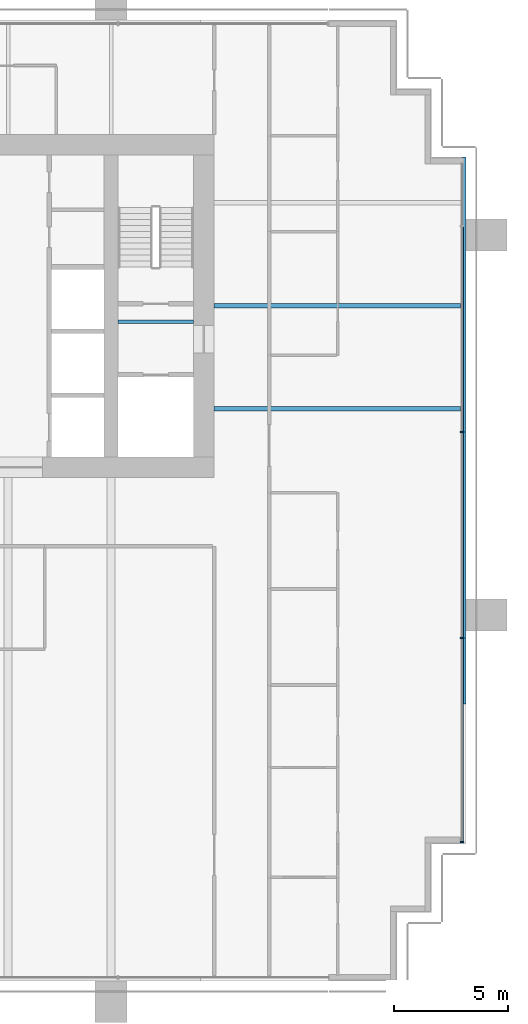
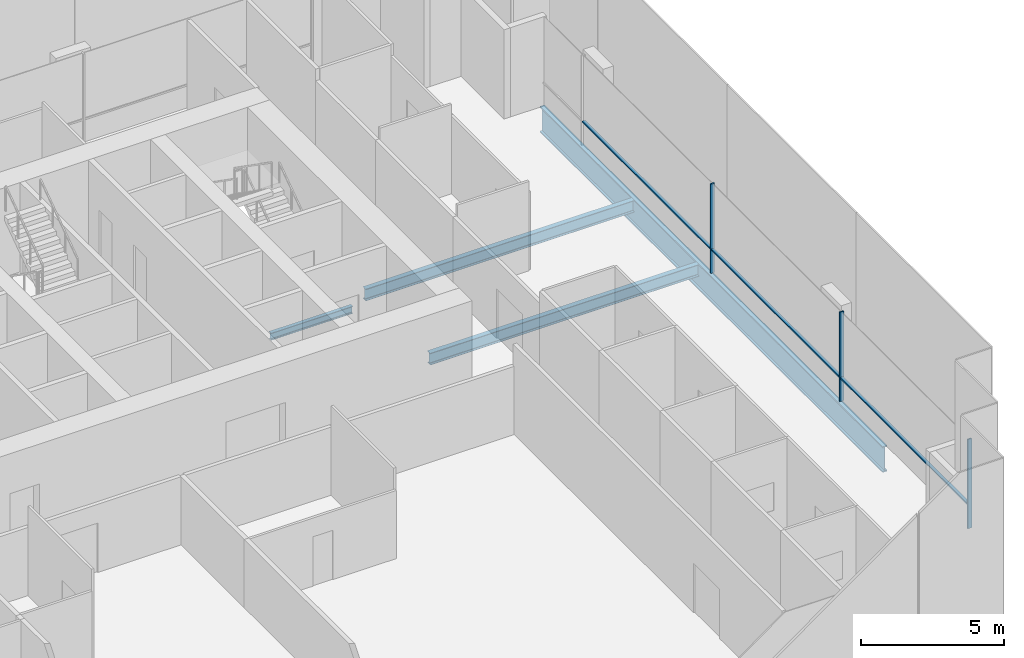
# One storey, part 6 of 17: 6 members, 4 beams, 1 element without a shape of its own.
"""IFC4 building model written with IfcOpenShell, lengths in metres."""

from ifc_helpers import new_model, si_unit, direction, frame, origin, origin_2d, place, context, subcontext, project, spatial, rectangle, i_section, extrude, material, material_profile, profile_set, type_object, element, aggregate, save


model = new_model("IFC4")

# Units and contexts
model_context = context("Model", 3, precision=1e-05, world=origin(), true_north=direction((0.0, 1.0)))
body_context = subcontext(model_context, "Body", "Model", "MODEL_VIEW")
ifc_project = project(units=[si_unit("LENGTHUNIT", "METRE"), si_unit("AREAUNIT", "SQUARE_METRE"), si_unit("VOLUMEUNIT", "CUBIC_METRE"), si_unit("PLANEANGLEUNIT", "RADIAN"), si_unit("MASSUNIT", "GRAM", prefix="KILO")], contexts=[model_context])

# Site, building, storey
site_placement = place(None, origin())
site = spatial("IfcSite", under=ifc_project, at=site_placement, CompositionType="ELEMENT")
building_placement = place(site_placement, origin())
building = spatial("IfcBuilding", under=site, at=building_placement, Name="Rattan Terrace Tower", CompositionType="ELEMENT")
storey_placement = place(building_placement, frame((0.0, 0.0, 138.10009765625)))
storey = spatial("IfcBuildingStorey", under=building, at=storey_placement, Name="L31", CompositionType="ELEMENT", Elevation=138.10009765625)

# Curtain wall, members
ifc_material_1 = material(Name="Aluminium and glass", Category="aluminium")
curtain_wall_type = type_object("IfcCurtainWallType", Name="Facade Unitised Curtain Wall", PredefinedType="NOTDEFINED", material=ifc_material_1)
curtain_wall_placement = place(storey_placement, origin())
curtain_wall = element("IfcCurtainWall", 1, at=curtain_wall_placement, inside=storey, type_object=curtain_wall_type, Name="Curtain wall L31-1", PredefinedType="NOTDEFINED")
ifc_material_2 = material(Name="Aluminium", Category="aluminium")
ifc_material_profile_1 = material_profile(ifc_material_2, rectangle(XDim=0.06005859375, YDim=0.159912109375, at=origin_2d()), Name="Aluminium 60x160")
ifc_profile_set_1 = profile_set([ifc_material_profile_1], Name="Aluminium")
member_type_1 = type_object("IfcMemberType", Name="Facade CW Mullion 60x160", PredefinedType="MULLION", material=ifc_profile_set_1)
member_1_placement = place(storey_placement, frame((28.830078125, -23.425048828125, 0.0), z_axis=(0.0, 0.0, 1.0), x_axis=(0.0, 1.0, 0.0)))
member_1 = element("IfcMember", 2, at=member_1_placement, type_object=member_type_1, Name="Mullion cwl-L31-001.1", PredefinedType="MULLION", context=body_context, shape_type="SweptSolid", body=[
    extrude(rectangle(XDim=0.06005859375, YDim=0.159912109375, at=origin_2d()), origin(), (0.0, 0.0, 1.0), 3.7998046875),
])
member_2_placement = place(storey_placement, frame((28.830078125, -14.5, 0.0), z_axis=(0.0, 0.0, 1.0), x_axis=(0.0, 1.0, 0.0)))
member_2 = element("IfcMember", 3, at=member_2_placement, type_object=member_type_1, Name="Mullion cwl-L31-001.2", PredefinedType="MULLION", context=body_context, shape_type="SweptSolid", body=[
    extrude(rectangle(XDim=0.06005859375, YDim=0.159912109375, at=origin_2d()), origin(), (0.0, 0.0, 1.0), 3.7998046875),
])
member_3_placement = place(storey_placement, frame((28.830078125, -5.5, 0.0), z_axis=(0.0, 0.0, 1.0), x_axis=(0.0, 1.0, 0.0)))
member_3 = element("IfcMember", 4, at=member_3_placement, type_object=member_type_1, Name="Mullion cwl-L31-001.3", PredefinedType="MULLION", context=body_context, shape_type="SweptSolid", body=[
    extrude(rectangle(XDim=0.06005859375, YDim=0.159912109375, at=origin_2d()), origin(), (0.0, 0.0, 1.0), 3.7998046875),
])
ifc_material_3 = material(Name="Aluminium", Category="aluminium")
ifc_material_profile_2 = material_profile(ifc_material_3, rectangle(XDim=0.1201171875, YDim=0.06005859375, at=origin_2d()), Name="Aluminium 120x60")
ifc_profile_set_2 = profile_set([ifc_material_profile_2], Name="Aluminium")
member_type_2 = type_object("IfcMemberType", Name="Facade CW Transom 120x60", PredefinedType="USERDEFINED", material=ifc_profile_set_2)
member_4_placement = place(storey_placement, frame((28.830078125, -23.39501953125, 1.0), z_axis=(0.0, 1.0, 0.0), x_axis=(-1.0, 0.0, 0.0)))
member_4 = element("IfcMember", 5, at=member_4_placement, type_object=member_type_2, Name="Transom cwl-L31-001.1", ObjectType="TRANSOM", PredefinedType="USERDEFINED", context=body_context, shape_type="SweptSolid", body=[
    extrude(rectangle(XDim=0.1201171875, YDim=0.06005859375, at=origin_2d()), origin(), (0.0, 0.0, 1.0), 8.864990234375),
])
member_5_placement = place(storey_placement, frame((28.830078125, -14.469970703125, 1.0), z_axis=(0.0, 1.0, 0.0), x_axis=(-1.0, 0.0, 0.0)))
member_5 = element("IfcMember", 6, at=member_5_placement, type_object=member_type_2, Name="Transom cwl-L31-001.2", ObjectType="TRANSOM", PredefinedType="USERDEFINED", context=body_context, shape_type="SweptSolid", body=[
    extrude(rectangle(XDim=0.1201171875, YDim=0.06005859375, at=origin_2d()), origin(), (0.0, 0.0, 1.0), 8.93994140625),
])
member_6_placement = place(storey_placement, frame((28.830078125, -5.469970703125, 1.0), z_axis=(0.0, 1.0, 0.0), x_axis=(-1.0, 0.0, 0.0)))
member_6 = element("IfcMember", 7, at=member_6_placement, type_object=member_type_2, Name="Transom cwl-L31-001.3", ObjectType="TRANSOM", PredefinedType="USERDEFINED", context=body_context, shape_type="SweptSolid", body=[
    extrude(rectangle(XDim=0.1201171875, YDim=0.06005859375, at=origin_2d()), origin(), (0.0, 0.0, 1.0), 8.93994140625),
])
aggregate(curtain_wall, [member_1, member_2, member_3, member_4, member_5, member_6])

# Beams
ifc_material_4 = material(Name="Steel S460", Category="steel")
ifc_material_profile_3 = material_profile(ifc_material_4, i_section(OverallWidth=0.179931640625, OverallDepth=1.10009765625, WebThickness=0.01611328125, FlangeThickness=0.050048828125, at=origin_2d()), Name="PG 1100x180-16-50")
ifc_profile_set_3 = profile_set([ifc_material_profile_3], Name="Steel S460")
beam_type_1 = type_object("IfcBeamType", Name="Frame edge girder PG 1100x180-16-50", PredefinedType="SPANDREL", material=ifc_profile_set_3)
beam_1_placement = place(storey_placement, frame((28.909912109375, 6.5, -0.75), z_axis=(0.0, -1.0, 0.0), x_axis=(1.0, 0.0, 0.0)))
element("IfcBeam", 8, at=beam_1_placement, inside=storey, type_object=beam_type_1, Name="gdr-L31-004", PredefinedType="SPANDREL", context=body_context, shape_type="SweptSolid", body=[
    extrude(i_section(OverallWidth=0.179931640625, OverallDepth=1.10009765625, WebThickness=0.01611328125, FlangeThickness=0.050048828125, at=origin_2d()), origin(), (0.0, 0.0, 1.0), 23.89990234375),
])
ifc_material_5 = material(Name="Steel S355", Category="steel")
ifc_material_profile_4 = material_profile(ifc_material_5, i_section(OverallWidth=0.14990234375, OverallDepth=0.300048828125, WebThickness=0.007080078125, FlangeThickness=0.0107421875, FilletRadius=0.014892578125, at=origin_2d()), Name="IPE 300")
ifc_profile_set_4 = profile_set([ifc_material_profile_4], Name="Steel S355")
beam_type_2 = type_object("IfcBeamType", Name="Frame floor beam IPE 300", PredefinedType="JOIST", material=ifc_profile_set_4)
beam_2_placement = place(storey_placement, frame((13.800048828125, -0.695068359375, -0.35009765625), z_axis=(1.0, 0.0, 0.0), x_axis=(0.0, 1.0, 0.0)))
element("IfcBeam", 9, at=beam_2_placement, inside=storey, type_object=beam_type_2, Name="bm-L31-002", PredefinedType="JOIST", context=body_context, shape_type="SweptSolid", body=[
    extrude(i_section(OverallWidth=0.14990234375, OverallDepth=0.300048828125, WebThickness=0.007080078125, FlangeThickness=0.0107421875, FilletRadius=0.014892578125, at=origin_2d()), origin(), (0.0, 0.0, 1.0), 3.300048828125),
])
ifc_material_6 = material(Name="Steel S355", Category="steel")
ifc_material_profile_5 = material_profile(ifc_material_6, i_section(OverallWidth=0.199951171875, OverallDepth=0.5, WebThickness=0.01025390625, FlangeThickness=0.01611328125, FilletRadius=0.02099609375, at=origin_2d()), Name="IPE 500")
ifc_profile_set_5 = profile_set([ifc_material_profile_5], Name="Steel S355")
beam_type_3 = type_object("IfcBeamType", Name="Frame floor beam IPE 500", PredefinedType="JOIST", material=ifc_profile_set_5)
for number, where, z_axis, x_axis, name in (
    (10, (18.0, -4.5, -0.4501953125), (1.0, 0.0, 0.0), (0.0, 1.0, 0.0), "bm-L31-011"),
    (11, (18.0, 0.0, -0.4501953125), (1.0, 0.0, 0.0), (0.0, 1.0, 0.0), "bm-L31-013"),
):
    element("IfcBeam", number, at=place(storey_placement, frame(where, z_axis=z_axis, x_axis=x_axis)), inside=storey, type_object=beam_type_3, Name=name, PredefinedType="JOIST", context=body_context, shape_type="SweptSolid", body=[
        extrude(i_section(OverallWidth=0.199951171875, OverallDepth=0.5, WebThickness=0.01025390625, FlangeThickness=0.01611328125, FilletRadius=0.02099609375, at=origin_2d()), origin(), (0.0, 0.0, 1.0), 10.820068359375),
    ])

save(model, "model.ifc")
